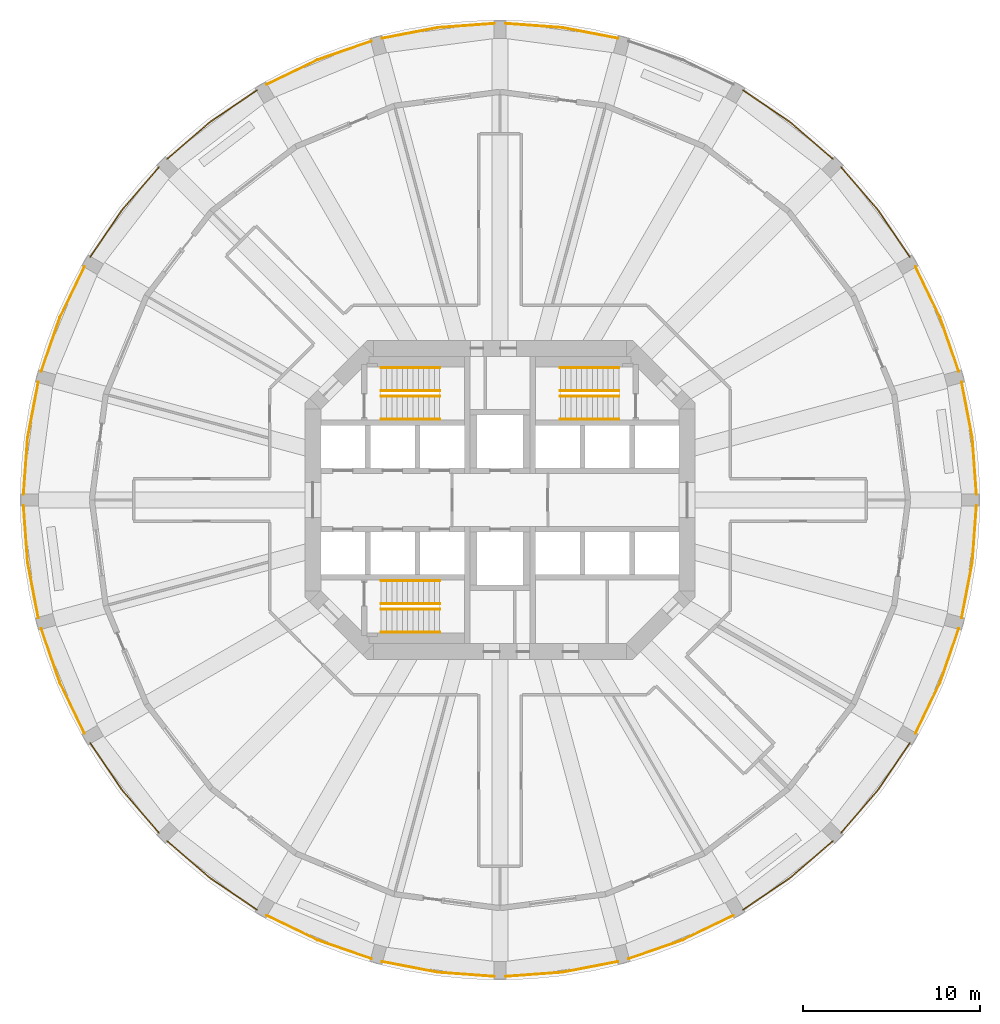
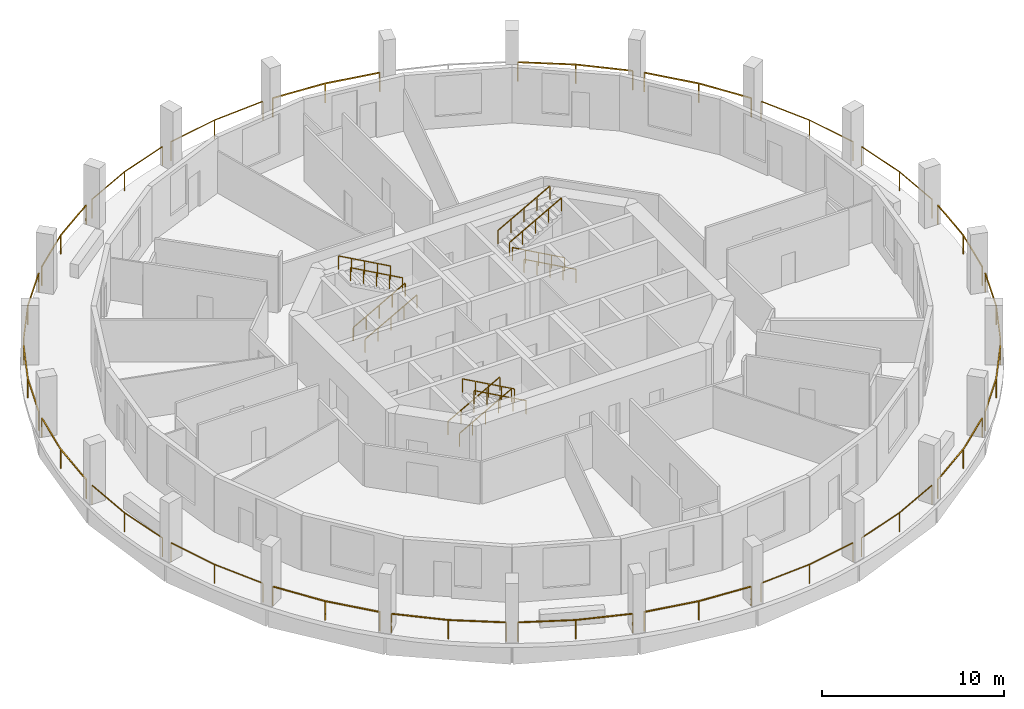
# One storey, part 8 of 9: 35 railings.
"""IFC4 building model written with IfcOpenShell, lengths in metres."""

from ifc_helpers import new_model, si_unit, direction, frame, origin, origin_2d, place, context, subcontext, project, spatial, rectangle, extrude, material, type_object, element, save


model = new_model("IFC4")

# Units and contexts
model_context = context("Model", 3, precision=1e-05, world=origin(), true_north=direction((0.0, 1.0)))
body_context = subcontext(model_context, "Body", "Model", "MODEL_VIEW")
ifc_project = project(units=[si_unit("LENGTHUNIT", "METRE"), si_unit("AREAUNIT", "SQUARE_METRE"), si_unit("VOLUMEUNIT", "CUBIC_METRE"), si_unit("PLANEANGLEUNIT", "RADIAN"), si_unit("MASSUNIT", "GRAM", prefix="KILO")], contexts=[model_context])

# Site, building, storey
site_placement = place(None, origin())
site = spatial("IfcSite", under=ifc_project, at=site_placement, CompositionType="ELEMENT")
building_placement = place(site_placement, origin())
building = spatial("IfcBuilding", under=site, at=building_placement, Name="Torre Triforio", CompositionType="ELEMENT")
storey_placement = place(building_placement, frame((0.0, 0.0, 27.0)))
storey = spatial("IfcBuildingStorey", under=building, at=storey_placement, Name="L04", CompositionType="ELEMENT", Elevation=27.0)

# Railings
ifc_material = material(Name="Stainless steel AISI 316", Category="steel")
railing_type_1 = type_object("IfcRailingType", Name="HANDRAIL 920", PredefinedType="HANDRAIL", material=ifc_material)
for number, where, name in (
    (1, (-6.699951171875, 4.550048828125, 0.166748046875), "Handrail ST1"),
    (2, (-6.699951171875, 5.85009765625, 0.166748046875), "Handrail ST1"),
):
    element("IfcRailing", number, at=place(storey_placement, frame(where)), inside=storey, type_object=railing_type_1, Name=name, PredefinedType="HANDRAIL", context=body_context, shape_type="SweptSolid", body=[
        extrude(rectangle(XDim=0.048095703125, YDim=0.048095703125, at=origin_2d()), frame((0.0, 0.0, 0.89599609375), z_axis=(0.874169478083, 0.0, 0.485620966999), x_axis=(0.0, 1.0, 0.0)), (0.0, 0.0, 1.0), 3.775146484375),
        extrude(rectangle(XDim=0.0419921875, YDim=0.0419921875, at=origin_2d()), origin(), (0.0, 0.0, 1.0), 0.871826171875),
        extrude(rectangle(XDim=0.0419921875, YDim=0.0419921875, at=origin_2d()), frame((0.824951171875, 0.0, 0.458251953125)), (0.0, 0.0, 1.0), 0.871826171875),
        extrude(rectangle(XDim=0.0419921875, YDim=0.0419921875, at=origin_2d()), frame((1.64990234375, 0.0, 0.91650390625)), (0.0, 0.0, 1.0), 0.871826171875),
        extrude(rectangle(XDim=0.0419921875, YDim=0.0419921875, at=origin_2d()), frame((2.47509765625, 0.0, 1.375)), (0.0, 0.0, 1.0), 0.871826171875),
        extrude(rectangle(XDim=0.0419921875, YDim=0.0419921875, at=origin_2d()), frame((3.300048828125, 0.0, 1.833251953125)), (0.0, 0.0, 1.0), 0.871826171875),
    ])
for number, where, name in (
    (3, (-3.39990234375, 7.449951171875, 2.166748046875), "Handrail ST1"),
    (4, (-3.39990234375, 6.14990234375, 2.166748046875), "Handrail ST1"),
    (5, (6.699951171875, 4.550048828125, 0.166748046875), "Handrail ST2"),
    (6, (6.699951171875, 5.85009765625, 0.166748046875), "Handrail ST2"),
):
    element("IfcRailing", number, at=place(storey_placement, frame(where)), inside=storey, type_object=railing_type_1, Name=name, PredefinedType="HANDRAIL", context=body_context, shape_type="SweptSolid", body=[
        extrude(rectangle(XDim=0.048095703125, YDim=0.048095703125, at=origin_2d()), frame((0.0, 0.0, 0.89599609375), z_axis=(-0.874169478083, 0.0, 0.485620966999), x_axis=(0.0, -1.0, 0.0)), (0.0, 0.0, 1.0), 3.775146484375),
        extrude(rectangle(XDim=0.0419921875, YDim=0.0419921875, at=origin_2d()), origin(), (0.0, 0.0, 1.0), 0.871826171875),
        extrude(rectangle(XDim=0.0419921875, YDim=0.0419921875, at=origin_2d()), frame((-0.824951171875, 0.0, 0.458251953125)), (0.0, 0.0, 1.0), 0.871826171875),
        extrude(rectangle(XDim=0.0419921875, YDim=0.0419921875, at=origin_2d()), frame((-1.64990234375, 0.0, 0.91650390625)), (0.0, 0.0, 1.0), 0.871826171875),
        extrude(rectangle(XDim=0.0419921875, YDim=0.0419921875, at=origin_2d()), frame((-2.47509765625, 0.0, 1.375)), (0.0, 0.0, 1.0), 0.871826171875),
        extrude(rectangle(XDim=0.0419921875, YDim=0.0419921875, at=origin_2d()), frame((-3.300048828125, 0.0, 1.833251953125)), (0.0, 0.0, 1.0), 0.871826171875),
    ])
for number, where, name in (
    (7, (3.39990234375, 7.449951171875, 2.166748046875), "Handrail ST2"),
    (8, (3.39990234375, 6.14990234375, 2.166748046875), "Handrail ST2"),
    (9, (-6.699951171875, -4.550048828125, 0.166748046875), "Handrail ST3"),
    (10, (-6.699951171875, -5.85009765625, 0.166748046875), "Handrail ST3"),
):
    element("IfcRailing", number, at=place(storey_placement, frame(where)), inside=storey, type_object=railing_type_1, Name=name, PredefinedType="HANDRAIL", context=body_context, shape_type="SweptSolid", body=[
        extrude(rectangle(XDim=0.048095703125, YDim=0.048095703125, at=origin_2d()), frame((0.0, 0.0, 0.89599609375), z_axis=(0.874169478083, 0.0, 0.485620966999), x_axis=(0.0, 1.0, 0.0)), (0.0, 0.0, 1.0), 3.775146484375),
        extrude(rectangle(XDim=0.0419921875, YDim=0.0419921875, at=origin_2d()), origin(), (0.0, 0.0, 1.0), 0.871826171875),
        extrude(rectangle(XDim=0.0419921875, YDim=0.0419921875, at=origin_2d()), frame((0.824951171875, 0.0, 0.458251953125)), (0.0, 0.0, 1.0), 0.871826171875),
        extrude(rectangle(XDim=0.0419921875, YDim=0.0419921875, at=origin_2d()), frame((1.64990234375, 0.0, 0.91650390625)), (0.0, 0.0, 1.0), 0.871826171875),
        extrude(rectangle(XDim=0.0419921875, YDim=0.0419921875, at=origin_2d()), frame((2.47509765625, 0.0, 1.375)), (0.0, 0.0, 1.0), 0.871826171875),
        extrude(rectangle(XDim=0.0419921875, YDim=0.0419921875, at=origin_2d()), frame((3.300048828125, 0.0, 1.833251953125)), (0.0, 0.0, 1.0), 0.871826171875),
    ])
for number, where, name in (
    (11, (-3.39990234375, -7.449951171875, 2.166748046875), "Handrail ST3"),
    (12, (-3.39990234375, -6.14990234375, 2.166748046875), "Handrail ST3"),
):
    element("IfcRailing", number, at=place(storey_placement, frame(where)), inside=storey, type_object=railing_type_1, Name=name, PredefinedType="HANDRAIL", context=body_context, shape_type="SweptSolid", body=[
        extrude(rectangle(XDim=0.048095703125, YDim=0.048095703125, at=origin_2d()), frame((0.0, 0.0, 0.89599609375), z_axis=(-0.874169478083, 0.0, 0.485620966999), x_axis=(0.0, -1.0, 0.0)), (0.0, 0.0, 1.0), 3.775146484375),
        extrude(rectangle(XDim=0.0419921875, YDim=0.0419921875, at=origin_2d()), origin(), (0.0, 0.0, 1.0), 0.871826171875),
        extrude(rectangle(XDim=0.0419921875, YDim=0.0419921875, at=origin_2d()), frame((-0.824951171875, 0.0, 0.458251953125)), (0.0, 0.0, 1.0), 0.871826171875),
        extrude(rectangle(XDim=0.0419921875, YDim=0.0419921875, at=origin_2d()), frame((-1.64990234375, 0.0, 0.91650390625)), (0.0, 0.0, 1.0), 0.871826171875),
        extrude(rectangle(XDim=0.0419921875, YDim=0.0419921875, at=origin_2d()), frame((-2.47509765625, 0.0, 1.375)), (0.0, 0.0, 1.0), 0.871826171875),
        extrude(rectangle(XDim=0.0419921875, YDim=0.0419921875, at=origin_2d()), frame((-3.300048828125, 0.0, 1.833251953125)), (0.0, 0.0, 1.0), 0.871826171875),
    ])
railing_type_2 = type_object("IfcRailingType", Name="Loggia guard 1300", PredefinedType="GUARDRAIL", material=ifc_material)
railing_1_placement = place(storey_placement, frame((26.85009765625, 0.320068359375, 0.0)))
element("IfcRailing", 13, at=railing_1_placement, inside=storey, type_object=railing_type_2, Name="Loggia guard L04 bay 01", PredefinedType="GUARDRAIL", context=body_context, shape_type="SweptSolid", body=[
    extrude(rectangle(XDim=0.050048828125, YDim=0.050048828125, at=origin_2d()), frame((0.0, 0.0, 1.27490234375), z_axis=(-0.071953458998, 0.997407990613, 0.0), x_axis=(-0.997407990613, -0.071953458998, 0.0)), (0.0, 0.0, 1.0), 3.19287109375),
    extrude(rectangle(XDim=0.050048828125, YDim=0.050048828125, at=origin_2d()), frame((-0.229736328125, 3.1845703125, 1.27490234375), z_axis=(-0.188714097365, 0.982032071501, 0.0), x_axis=(-0.982032071501, -0.188714097365, 0.0)), (0.0, 0.0, 1.0), 3.19287109375),
    extrude(rectangle(XDim=0.0400390625, YDim=0.0400390625, at=origin_2d()), origin(), (0.0, 0.0, 1.0), 1.25),
    extrude(rectangle(XDim=0.0400390625, YDim=0.0400390625, at=origin_2d()), frame((-0.229736328125, 3.1845703125, 0.0)), (0.0, 0.0, 1.0), 1.25),
    extrude(rectangle(XDim=0.0400390625, YDim=0.0400390625, at=origin_2d()), frame((-0.832275390625, 6.320068359375, 0.0)), (0.0, 0.0, 1.0), 1.25),
])
railing_2_placement = place(storey_placement, frame((25.852294921875, 7.25830078125, 0.0)))
element("IfcRailing", 14, at=railing_2_placement, inside=storey, type_object=railing_type_2, Name="Loggia guard L04 bay 02", PredefinedType="GUARDRAIL", context=body_context, shape_type="SweptSolid", body=[
    extrude(rectangle(XDim=0.050048828125, YDim=0.050048828125, at=origin_2d()), frame((0.0, 0.0, 1.27490234375), z_axis=(-0.327627852034, 0.94480685358, 0.0), x_axis=(-0.94480685358, -0.327627852034, 0.0)), (0.0, 0.0, 1.0), 3.193115234375),
    extrude(rectangle(XDim=0.050048828125, YDim=0.050048828125, at=origin_2d()), frame((-1.046142578125, 3.016845703125, 1.27490234375), z_axis=(-0.436384192305, 0.899760432952, 0.0), x_axis=(-0.899760432952, -0.436384192305, 0.0)), (0.0, 0.0, 1.0), 3.19287109375),
    extrude(rectangle(XDim=0.0400390625, YDim=0.0400390625, at=origin_2d()), origin(), (0.0, 0.0, 1.0), 1.25),
    extrude(rectangle(XDim=0.0400390625, YDim=0.0400390625, at=origin_2d()), frame((-1.046142578125, 3.016845703125, 0.0)), (0.0, 0.0, 1.0), 1.25),
    extrude(rectangle(XDim=0.0400390625, YDim=0.0400390625, at=origin_2d()), frame((-2.439453125, 5.8896484375, 0.0)), (0.0, 0.0, 1.0), 1.25),
])
railing_3_placement = place(storey_placement, frame((23.0927734375, 13.7021484375, 0.0)))
element("IfcRailing", 15, at=railing_3_placement, inside=storey, type_object=railing_type_2, Name="Loggia guard L04 bay 03", PredefinedType="GUARDRAIL", context=body_context, shape_type="SweptSolid", body=[
    extrude(rectangle(XDim=0.050048828125, YDim=0.050048828125, at=origin_2d()), frame((0.0, 0.0, 1.27490234375), z_axis=(-0.561018896338, 0.82780299465, 0.0), x_axis=(-0.82780299465, -0.561018896338, 0.0)), (0.0, 0.0, 1.0), 3.19287109375),
    extrude(rectangle(XDim=0.050048828125, YDim=0.050048828125, at=origin_2d()), frame((-1.791259765625, 2.64306640625, 1.27490234375), z_axis=(-0.654385993255, 0.756160678581, 0.0), x_axis=(-0.756160678581, -0.654385993255, 0.0)), (0.0, 0.0, 1.0), 3.19287109375),
    extrude(rectangle(XDim=0.0400390625, YDim=0.0400390625, at=origin_2d()), origin(), (0.0, 0.0, 1.0), 1.25),
    extrude(rectangle(XDim=0.0400390625, YDim=0.0400390625, at=origin_2d()), frame((-1.791259765625, 2.64306640625, 0.0)), (0.0, 0.0, 1.0), 1.25),
    extrude(rectangle(XDim=0.0400390625, YDim=0.0400390625, at=origin_2d()), frame((-3.880615234375, 5.057373046875, 0.0)), (0.0, 0.0, 1.0), 1.25),
])
railing_4_placement = place(storey_placement, frame((18.759521484375, 19.212158203125, 0.0)))
element("IfcRailing", 16, at=railing_4_placement, inside=storey, type_object=railing_type_2, Name="Loggia guard L04 bay 04", PredefinedType="GUARDRAIL", context=body_context, shape_type="SweptSolid", body=[
    extrude(rectangle(XDim=0.050048828125, YDim=0.050048828125, at=origin_2d()), frame((0.0, 0.0, 1.27490234375), z_axis=(-0.756160678581, 0.654385993255, 0.0), x_axis=(-0.654385993255, -0.756160678581, 0.0)), (0.0, 0.0, 1.0), 3.19287109375),
    extrude(rectangle(XDim=0.050048828125, YDim=0.050048828125, at=origin_2d()), frame((-2.414306640625, 2.08935546875, 1.27490234375), z_axis=(-0.82780299465, 0.561018896338, 0.0), x_axis=(-0.561018896338, -0.82780299465, 0.0)), (0.0, 0.0, 1.0), 3.19287109375),
    extrude(rectangle(XDim=0.0400390625, YDim=0.0400390625, at=origin_2d()), origin(), (0.0, 0.0, 1.0), 1.25),
    extrude(rectangle(XDim=0.0400390625, YDim=0.0400390625, at=origin_2d()), frame((-2.414306640625, 2.08935546875, 0.0)), (0.0, 0.0, 1.0), 1.25),
    extrude(rectangle(XDim=0.0400390625, YDim=0.0400390625, at=origin_2d()), frame((-5.057373046875, 3.880615234375, 0.0)), (0.0, 0.0, 1.0), 1.25),
])
railing_5_placement = place(storey_placement, frame((6.64013671875, 26.017822265625, 0.0)))
element("IfcRailing", 17, at=railing_5_placement, inside=storey, type_object=railing_type_2, Name="Loggia guard L04 bay 06", PredefinedType="GUARDRAIL", context=body_context, shape_type="SweptSolid", body=[
    extrude(rectangle(XDim=0.050048828125, YDim=0.050048828125, at=origin_2d()), frame((0.0, 0.0, 1.27490234375), z_axis=(-0.982032071501, 0.188714097365, 0.0), x_axis=(-0.188714097365, -0.982032071501, 0.0)), (0.0, 0.0, 1.0), 3.19287109375),
    extrude(rectangle(XDim=0.050048828125, YDim=0.050048828125, at=origin_2d()), frame((-3.135498046875, 0.6025390625, 1.27490234375), z_axis=(-0.997407990613, 0.071953458998, 0.0), x_axis=(-0.071953458998, -0.997407990613, 0.0)), (0.0, 0.0, 1.0), 3.19287109375),
    extrude(rectangle(XDim=0.0400390625, YDim=0.0400390625, at=origin_2d()), origin(), (0.0, 0.0, 1.0), 1.25),
    extrude(rectangle(XDim=0.0400390625, YDim=0.0400390625, at=origin_2d()), frame((-3.135498046875, 0.6025390625, 0.0)), (0.0, 0.0, 1.0), 1.25),
    extrude(rectangle(XDim=0.0400390625, YDim=0.0400390625, at=origin_2d()), frame((-6.320068359375, 0.832275390625, 0.0)), (0.0, 0.0, 1.0), 1.25),
])
railing_6_placement = place(storey_placement, frame((-0.320068359375, 26.85009765625, 0.0)))
element("IfcRailing", 18, at=railing_6_placement, inside=storey, type_object=railing_type_2, Name="Loggia guard L04 bay 07", PredefinedType="GUARDRAIL", context=body_context, shape_type="SweptSolid", body=[
    extrude(rectangle(XDim=0.050048828125, YDim=0.050048828125, at=origin_2d()), frame((0.0, 0.0, 1.27490234375), z_axis=(-0.997407990613, -0.071953458998, 0.0), x_axis=(0.071953458998, -0.997407990613, 0.0)), (0.0, 0.0, 1.0), 3.19287109375),
    extrude(rectangle(XDim=0.050048828125, YDim=0.050048828125, at=origin_2d()), frame((-3.1845703125, -0.229736328125, 1.27490234375), z_axis=(-0.982032071501, -0.188714097365, 0.0), x_axis=(0.188714097365, -0.982032071501, 0.0)), (0.0, 0.0, 1.0), 3.19287109375),
    extrude(rectangle(XDim=0.0400390625, YDim=0.0400390625, at=origin_2d()), origin(), (0.0, 0.0, 1.0), 1.25),
    extrude(rectangle(XDim=0.0400390625, YDim=0.0400390625, at=origin_2d()), frame((-3.1845703125, -0.229736328125, 0.0)), (0.0, 0.0, 1.0), 1.25),
    extrude(rectangle(XDim=0.0400390625, YDim=0.0400390625, at=origin_2d()), frame((-6.320068359375, -0.832275390625, 0.0)), (0.0, 0.0, 1.0), 1.25),
])
railing_7_placement = place(storey_placement, frame((-7.25830078125, 25.852294921875, 0.0)))
element("IfcRailing", 19, at=railing_7_placement, inside=storey, type_object=railing_type_2, Name="Loggia guard L04 bay 08", PredefinedType="GUARDRAIL", context=body_context, shape_type="SweptSolid", body=[
    extrude(rectangle(XDim=0.050048828125, YDim=0.050048828125, at=origin_2d()), frame((0.0, 0.0, 1.27490234375), z_axis=(-0.94480685358, -0.327627852034, 0.0), x_axis=(0.327627852034, -0.94480685358, 0.0)), (0.0, 0.0, 1.0), 3.193115234375),
    extrude(rectangle(XDim=0.050048828125, YDim=0.050048828125, at=origin_2d()), frame((-3.016845703125, -1.046142578125, 1.27490234375), z_axis=(-0.899760432952, -0.436384192305, 0.0), x_axis=(0.436384192305, -0.899760432952, 0.0)), (0.0, 0.0, 1.0), 3.19287109375),
    extrude(rectangle(XDim=0.0400390625, YDim=0.0400390625, at=origin_2d()), origin(), (0.0, 0.0, 1.0), 1.25),
    extrude(rectangle(XDim=0.0400390625, YDim=0.0400390625, at=origin_2d()), frame((-3.016845703125, -1.046142578125, 0.0)), (0.0, 0.0, 1.0), 1.25),
    extrude(rectangle(XDim=0.0400390625, YDim=0.0400390625, at=origin_2d()), frame((-5.8896484375, -2.439453125, 0.0)), (0.0, 0.0, 1.0), 1.25),
])
railing_8_placement = place(storey_placement, frame((-13.7021484375, 23.0927734375, 0.0)))
element("IfcRailing", 20, at=railing_8_placement, inside=storey, type_object=railing_type_2, Name="Loggia guard L04 bay 09", PredefinedType="GUARDRAIL", context=body_context, shape_type="SweptSolid", body=[
    extrude(rectangle(XDim=0.050048828125, YDim=0.050048828125, at=origin_2d()), frame((0.0, 0.0, 1.27490234375), z_axis=(-0.82780299465, -0.561018896338, 0.0), x_axis=(0.561018896338, -0.82780299465, 0.0)), (0.0, 0.0, 1.0), 3.19287109375),
    extrude(rectangle(XDim=0.050048828125, YDim=0.050048828125, at=origin_2d()), frame((-2.64306640625, -1.791259765625, 1.27490234375), z_axis=(-0.756160678581, -0.654385993255, 0.0), x_axis=(0.654385993255, -0.756160678581, 0.0)), (0.0, 0.0, 1.0), 3.19287109375),
    extrude(rectangle(XDim=0.0400390625, YDim=0.0400390625, at=origin_2d()), origin(), (0.0, 0.0, 1.0), 1.25),
    extrude(rectangle(XDim=0.0400390625, YDim=0.0400390625, at=origin_2d()), frame((-2.64306640625, -1.791259765625, 0.0)), (0.0, 0.0, 1.0), 1.25),
    extrude(rectangle(XDim=0.0400390625, YDim=0.0400390625, at=origin_2d()), frame((-5.057373046875, -3.880615234375, 0.0)), (0.0, 0.0, 1.0), 1.25),
])
railing_9_placement = place(storey_placement, frame((-19.212158203125, 18.759521484375, 0.0)))
element("IfcRailing", 21, at=railing_9_placement, inside=storey, type_object=railing_type_2, Name="Loggia guard L04 bay 10", PredefinedType="GUARDRAIL", context=body_context, shape_type="SweptSolid", body=[
    extrude(rectangle(XDim=0.050048828125, YDim=0.050048828125, at=origin_2d()), frame((0.0, 0.0, 1.27490234375), z_axis=(-0.654385993255, -0.756160678581, 0.0), x_axis=(0.756160678581, -0.654385993255, 0.0)), (0.0, 0.0, 1.0), 3.19287109375),
    extrude(rectangle(XDim=0.050048828125, YDim=0.050048828125, at=origin_2d()), frame((-2.08935546875, -2.414306640625, 1.27490234375), z_axis=(-0.561018896338, -0.82780299465, 0.0), x_axis=(0.82780299465, -0.561018896338, 0.0)), (0.0, 0.0, 1.0), 3.19287109375),
    extrude(rectangle(XDim=0.0400390625, YDim=0.0400390625, at=origin_2d()), origin(), (0.0, 0.0, 1.0), 1.25),
    extrude(rectangle(XDim=0.0400390625, YDim=0.0400390625, at=origin_2d()), frame((-2.08935546875, -2.414306640625, 0.0)), (0.0, 0.0, 1.0), 1.25),
    extrude(rectangle(XDim=0.0400390625, YDim=0.0400390625, at=origin_2d()), frame((-3.880615234375, -5.057373046875, 0.0)), (0.0, 0.0, 1.0), 1.25),
])
railing_10_placement = place(storey_placement, frame((-23.412841796875, 13.14794921875, 0.0)))
element("IfcRailing", 22, at=railing_10_placement, inside=storey, type_object=railing_type_2, Name="Loggia guard L04 bay 11", PredefinedType="GUARDRAIL", context=body_context, shape_type="SweptSolid", body=[
    extrude(rectangle(XDim=0.050048828125, YDim=0.050048828125, at=origin_2d()), frame((0.0, 0.0, 1.27490234375), z_axis=(-0.436384192305, -0.899760432952, 0.0), x_axis=(0.899760432952, -0.436384192305, 0.0)), (0.0, 0.0, 1.0), 3.19287109375),
    extrude(rectangle(XDim=0.050048828125, YDim=0.050048828125, at=origin_2d()), frame((-1.393310546875, -2.872802734375, 1.27490234375), z_axis=(-0.327627852034, -0.94480685358, 0.0), x_axis=(0.94480685358, -0.327627852034, 0.0)), (0.0, 0.0, 1.0), 3.193115234375),
    extrude(rectangle(XDim=0.0400390625, YDim=0.0400390625, at=origin_2d()), origin(), (0.0, 0.0, 1.0), 1.25),
    extrude(rectangle(XDim=0.0400390625, YDim=0.0400390625, at=origin_2d()), frame((-1.393310546875, -2.872802734375, 0.0)), (0.0, 0.0, 1.0), 1.25),
    extrude(rectangle(XDim=0.0400390625, YDim=0.0400390625, at=origin_2d()), frame((-2.439453125, -5.8896484375, 0.0)), (0.0, 0.0, 1.0), 1.25),
])
railing_11_placement = place(storey_placement, frame((-26.017822265625, 6.64013671875, 0.0)))
element("IfcRailing", 23, at=railing_11_placement, inside=storey, type_object=railing_type_2, Name="Loggia guard L04 bay 12", PredefinedType="GUARDRAIL", context=body_context, shape_type="SweptSolid", body=[
    extrude(rectangle(XDim=0.050048828125, YDim=0.050048828125, at=origin_2d()), frame((0.0, 0.0, 1.27490234375), z_axis=(-0.188714097365, -0.982032071501, 0.0), x_axis=(0.982032071501, -0.188714097365, 0.0)), (0.0, 0.0, 1.0), 3.19287109375),
    extrude(rectangle(XDim=0.050048828125, YDim=0.050048828125, at=origin_2d()), frame((-0.6025390625, -3.135498046875, 1.27490234375), z_axis=(-0.071953458998, -0.997407990613, 0.0), x_axis=(0.997407990613, -0.071953458998, 0.0)), (0.0, 0.0, 1.0), 3.19287109375),
    extrude(rectangle(XDim=0.0400390625, YDim=0.0400390625, at=origin_2d()), origin(), (0.0, 0.0, 1.0), 1.25),
    extrude(rectangle(XDim=0.0400390625, YDim=0.0400390625, at=origin_2d()), frame((-0.6025390625, -3.135498046875, 0.0)), (0.0, 0.0, 1.0), 1.25),
    extrude(rectangle(XDim=0.0400390625, YDim=0.0400390625, at=origin_2d()), frame((-0.832275390625, -6.320068359375, 0.0)), (0.0, 0.0, 1.0), 1.25),
])
railing_12_placement = place(storey_placement, frame((-26.85009765625, -0.320068359375, 0.0)))
element("IfcRailing", 24, at=railing_12_placement, inside=storey, type_object=railing_type_2, Name="Loggia guard L04 bay 13", PredefinedType="GUARDRAIL", context=body_context, shape_type="SweptSolid", body=[
    extrude(rectangle(XDim=0.050048828125, YDim=0.050048828125, at=origin_2d()), frame((0.0, 0.0, 1.27490234375), z_axis=(0.071953458998, -0.997407990613, 0.0), x_axis=(0.997407990613, 0.071953458998, 0.0)), (0.0, 0.0, 1.0), 3.19287109375),
    extrude(rectangle(XDim=0.050048828125, YDim=0.050048828125, at=origin_2d()), frame((0.229736328125, -3.1845703125, 1.27490234375), z_axis=(0.188714097365, -0.982032071501, 0.0), x_axis=(0.982032071501, 0.188714097365, 0.0)), (0.0, 0.0, 1.0), 3.19287109375),
    extrude(rectangle(XDim=0.0400390625, YDim=0.0400390625, at=origin_2d()), origin(), (0.0, 0.0, 1.0), 1.25),
    extrude(rectangle(XDim=0.0400390625, YDim=0.0400390625, at=origin_2d()), frame((0.229736328125, -3.1845703125, 0.0)), (0.0, 0.0, 1.0), 1.25),
    extrude(rectangle(XDim=0.0400390625, YDim=0.0400390625, at=origin_2d()), frame((0.832275390625, -6.320068359375, 0.0)), (0.0, 0.0, 1.0), 1.25),
])
railing_13_placement = place(storey_placement, frame((-25.852294921875, -7.25830078125, 0.0)))
element("IfcRailing", 25, at=railing_13_placement, inside=storey, type_object=railing_type_2, Name="Loggia guard L04 bay 14", PredefinedType="GUARDRAIL", context=body_context, shape_type="SweptSolid", body=[
    extrude(rectangle(XDim=0.050048828125, YDim=0.050048828125, at=origin_2d()), frame((0.0, 0.0, 1.27490234375), z_axis=(0.327627852034, -0.94480685358, 0.0), x_axis=(0.94480685358, 0.327627852034, 0.0)), (0.0, 0.0, 1.0), 3.193115234375),
    extrude(rectangle(XDim=0.050048828125, YDim=0.050048828125, at=origin_2d()), frame((1.046142578125, -3.016845703125, 1.27490234375), z_axis=(0.436384192305, -0.899760432952, 0.0), x_axis=(0.899760432952, 0.436384192305, 0.0)), (0.0, 0.0, 1.0), 3.19287109375),
    extrude(rectangle(XDim=0.0400390625, YDim=0.0400390625, at=origin_2d()), origin(), (0.0, 0.0, 1.0), 1.25),
    extrude(rectangle(XDim=0.0400390625, YDim=0.0400390625, at=origin_2d()), frame((1.046142578125, -3.016845703125, 0.0)), (0.0, 0.0, 1.0), 1.25),
    extrude(rectangle(XDim=0.0400390625, YDim=0.0400390625, at=origin_2d()), frame((2.439453125, -5.8896484375, 0.0)), (0.0, 0.0, 1.0), 1.25),
])
railing_14_placement = place(storey_placement, frame((-23.0927734375, -13.7021484375, 0.0)))
element("IfcRailing", 26, at=railing_14_placement, inside=storey, type_object=railing_type_2, Name="Loggia guard L04 bay 15", PredefinedType="GUARDRAIL", context=body_context, shape_type="SweptSolid", body=[
    extrude(rectangle(XDim=0.050048828125, YDim=0.050048828125, at=origin_2d()), frame((0.0, 0.0, 1.27490234375), z_axis=(0.561018896338, -0.82780299465, 0.0), x_axis=(0.82780299465, 0.561018896338, 0.0)), (0.0, 0.0, 1.0), 3.19287109375),
    extrude(rectangle(XDim=0.050048828125, YDim=0.050048828125, at=origin_2d()), frame((1.791259765625, -2.64306640625, 1.27490234375), z_axis=(0.654385993255, -0.756160678581, 0.0), x_axis=(0.756160678581, 0.654385993255, 0.0)), (0.0, 0.0, 1.0), 3.19287109375),
    extrude(rectangle(XDim=0.0400390625, YDim=0.0400390625, at=origin_2d()), origin(), (0.0, 0.0, 1.0), 1.25),
    extrude(rectangle(XDim=0.0400390625, YDim=0.0400390625, at=origin_2d()), frame((1.791259765625, -2.64306640625, 0.0)), (0.0, 0.0, 1.0), 1.25),
    extrude(rectangle(XDim=0.0400390625, YDim=0.0400390625, at=origin_2d()), frame((3.880615234375, -5.057373046875, 0.0)), (0.0, 0.0, 1.0), 1.25),
])
railing_15_placement = place(storey_placement, frame((-18.759521484375, -19.212158203125, 0.0)))
element("IfcRailing", 27, at=railing_15_placement, inside=storey, type_object=railing_type_2, Name="Loggia guard L04 bay 16", PredefinedType="GUARDRAIL", context=body_context, shape_type="SweptSolid", body=[
    extrude(rectangle(XDim=0.050048828125, YDim=0.050048828125, at=origin_2d()), frame((0.0, 0.0, 1.27490234375), z_axis=(0.756160678581, -0.654385993255, 0.0), x_axis=(0.654385993255, 0.756160678581, 0.0)), (0.0, 0.0, 1.0), 3.19287109375),
    extrude(rectangle(XDim=0.050048828125, YDim=0.050048828125, at=origin_2d()), frame((2.414306640625, -2.08935546875, 1.27490234375), z_axis=(0.82780299465, -0.561018896338, 0.0), x_axis=(0.561018896338, 0.82780299465, 0.0)), (0.0, 0.0, 1.0), 3.19287109375),
    extrude(rectangle(XDim=0.0400390625, YDim=0.0400390625, at=origin_2d()), origin(), (0.0, 0.0, 1.0), 1.25),
    extrude(rectangle(XDim=0.0400390625, YDim=0.0400390625, at=origin_2d()), frame((2.414306640625, -2.08935546875, 0.0)), (0.0, 0.0, 1.0), 1.25),
    extrude(rectangle(XDim=0.0400390625, YDim=0.0400390625, at=origin_2d()), frame((5.057373046875, -3.880615234375, 0.0)), (0.0, 0.0, 1.0), 1.25),
])
railing_16_placement = place(storey_placement, frame((-13.14794921875, -23.412841796875, 0.0)))
element("IfcRailing", 28, at=railing_16_placement, inside=storey, type_object=railing_type_2, Name="Loggia guard L04 bay 17", PredefinedType="GUARDRAIL", context=body_context, shape_type="SweptSolid", body=[
    extrude(rectangle(XDim=0.050048828125, YDim=0.050048828125, at=origin_2d()), frame((0.0, 0.0, 1.27490234375), z_axis=(0.899760432952, -0.436384192305, 0.0), x_axis=(0.436384192305, 0.899760432952, 0.0)), (0.0, 0.0, 1.0), 3.19287109375),
    extrude(rectangle(XDim=0.050048828125, YDim=0.050048828125, at=origin_2d()), frame((2.872802734375, -1.393310546875, 1.27490234375), z_axis=(0.94480685358, -0.327627852034, 0.0), x_axis=(0.327627852034, 0.94480685358, 0.0)), (0.0, 0.0, 1.0), 3.193115234375),
    extrude(rectangle(XDim=0.0400390625, YDim=0.0400390625, at=origin_2d()), origin(), (0.0, 0.0, 1.0), 1.25),
    extrude(rectangle(XDim=0.0400390625, YDim=0.0400390625, at=origin_2d()), frame((2.872802734375, -1.393310546875, 0.0)), (0.0, 0.0, 1.0), 1.25),
    extrude(rectangle(XDim=0.0400390625, YDim=0.0400390625, at=origin_2d()), frame((5.8896484375, -2.439453125, 0.0)), (0.0, 0.0, 1.0), 1.25),
])
railing_17_placement = place(storey_placement, frame((-6.64013671875, -26.017822265625, 0.0)))
element("IfcRailing", 29, at=railing_17_placement, inside=storey, type_object=railing_type_2, Name="Loggia guard L04 bay 18", PredefinedType="GUARDRAIL", context=body_context, shape_type="SweptSolid", body=[
    extrude(rectangle(XDim=0.050048828125, YDim=0.050048828125, at=origin_2d()), frame((0.0, 0.0, 1.27490234375), z_axis=(0.982032071501, -0.188714097365, 0.0), x_axis=(0.188714097365, 0.982032071501, 0.0)), (0.0, 0.0, 1.0), 3.19287109375),
    extrude(rectangle(XDim=0.050048828125, YDim=0.050048828125, at=origin_2d()), frame((3.135498046875, -0.6025390625, 1.27490234375), z_axis=(0.997407990613, -0.071953458998, 0.0), x_axis=(0.071953458998, 0.997407990613, 0.0)), (0.0, 0.0, 1.0), 3.19287109375),
    extrude(rectangle(XDim=0.0400390625, YDim=0.0400390625, at=origin_2d()), origin(), (0.0, 0.0, 1.0), 1.25),
    extrude(rectangle(XDim=0.0400390625, YDim=0.0400390625, at=origin_2d()), frame((3.135498046875, -0.6025390625, 0.0)), (0.0, 0.0, 1.0), 1.25),
    extrude(rectangle(XDim=0.0400390625, YDim=0.0400390625, at=origin_2d()), frame((6.320068359375, -0.832275390625, 0.0)), (0.0, 0.0, 1.0), 1.25),
])
railing_18_placement = place(storey_placement, frame((0.320068359375, -26.85009765625, 0.0)))
element("IfcRailing", 30, at=railing_18_placement, inside=storey, type_object=railing_type_2, Name="Loggia guard L04 bay 19", PredefinedType="GUARDRAIL", context=body_context, shape_type="SweptSolid", body=[
    extrude(rectangle(XDim=0.050048828125, YDim=0.050048828125, at=origin_2d()), frame((0.0, 0.0, 1.27490234375), z_axis=(0.997407990613, 0.071953458998, 0.0), x_axis=(-0.071953458998, 0.997407990613, 0.0)), (0.0, 0.0, 1.0), 3.19287109375),
    extrude(rectangle(XDim=0.050048828125, YDim=0.050048828125, at=origin_2d()), frame((3.1845703125, 0.229736328125, 1.27490234375), z_axis=(0.982032071501, 0.188714097365, 0.0), x_axis=(-0.188714097365, 0.982032071501, 0.0)), (0.0, 0.0, 1.0), 3.19287109375),
    extrude(rectangle(XDim=0.0400390625, YDim=0.0400390625, at=origin_2d()), origin(), (0.0, 0.0, 1.0), 1.25),
    extrude(rectangle(XDim=0.0400390625, YDim=0.0400390625, at=origin_2d()), frame((3.1845703125, 0.229736328125, 0.0)), (0.0, 0.0, 1.0), 1.25),
    extrude(rectangle(XDim=0.0400390625, YDim=0.0400390625, at=origin_2d()), frame((6.320068359375, 0.832275390625, 0.0)), (0.0, 0.0, 1.0), 1.25),
])
railing_19_placement = place(storey_placement, frame((7.25830078125, -25.852294921875, 0.0)))
element("IfcRailing", 31, at=railing_19_placement, inside=storey, type_object=railing_type_2, Name="Loggia guard L04 bay 20", PredefinedType="GUARDRAIL", context=body_context, shape_type="SweptSolid", body=[
    extrude(rectangle(XDim=0.050048828125, YDim=0.050048828125, at=origin_2d()), frame((0.0, 0.0, 1.27490234375), z_axis=(0.94480685358, 0.327627852034, 0.0), x_axis=(-0.327627852034, 0.94480685358, 0.0)), (0.0, 0.0, 1.0), 3.193115234375),
    extrude(rectangle(XDim=0.050048828125, YDim=0.050048828125, at=origin_2d()), frame((3.016845703125, 1.046142578125, 1.27490234375), z_axis=(0.899760432952, 0.436384192305, 0.0), x_axis=(-0.436384192305, 0.899760432952, 0.0)), (0.0, 0.0, 1.0), 3.19287109375),
    extrude(rectangle(XDim=0.0400390625, YDim=0.0400390625, at=origin_2d()), origin(), (0.0, 0.0, 1.0), 1.25),
    extrude(rectangle(XDim=0.0400390625, YDim=0.0400390625, at=origin_2d()), frame((3.016845703125, 1.046142578125, 0.0)), (0.0, 0.0, 1.0), 1.25),
    extrude(rectangle(XDim=0.0400390625, YDim=0.0400390625, at=origin_2d()), frame((5.8896484375, 2.439453125, 0.0)), (0.0, 0.0, 1.0), 1.25),
])
railing_20_placement = place(storey_placement, frame((13.7021484375, -23.0927734375, 0.0)))
element("IfcRailing", 32, at=railing_20_placement, inside=storey, type_object=railing_type_2, Name="Loggia guard L04 bay 21", PredefinedType="GUARDRAIL", context=body_context, shape_type="SweptSolid", body=[
    extrude(rectangle(XDim=0.050048828125, YDim=0.050048828125, at=origin_2d()), frame((0.0, 0.0, 1.27490234375), z_axis=(0.82780299465, 0.561018896338, 0.0), x_axis=(-0.561018896338, 0.82780299465, 0.0)), (0.0, 0.0, 1.0), 3.19287109375),
    extrude(rectangle(XDim=0.050048828125, YDim=0.050048828125, at=origin_2d()), frame((2.64306640625, 1.791259765625, 1.27490234375), z_axis=(0.756160678581, 0.654385993255, 0.0), x_axis=(-0.654385993255, 0.756160678581, 0.0)), (0.0, 0.0, 1.0), 3.19287109375),
    extrude(rectangle(XDim=0.0400390625, YDim=0.0400390625, at=origin_2d()), origin(), (0.0, 0.0, 1.0), 1.25),
    extrude(rectangle(XDim=0.0400390625, YDim=0.0400390625, at=origin_2d()), frame((2.64306640625, 1.791259765625, 0.0)), (0.0, 0.0, 1.0), 1.25),
    extrude(rectangle(XDim=0.0400390625, YDim=0.0400390625, at=origin_2d()), frame((5.057373046875, 3.880615234375, 0.0)), (0.0, 0.0, 1.0), 1.25),
])
railing_21_placement = place(storey_placement, frame((19.212158203125, -18.759521484375, 0.0)))
element("IfcRailing", 33, at=railing_21_placement, inside=storey, type_object=railing_type_2, Name="Loggia guard L04 bay 22", PredefinedType="GUARDRAIL", context=body_context, shape_type="SweptSolid", body=[
    extrude(rectangle(XDim=0.050048828125, YDim=0.050048828125, at=origin_2d()), frame((0.0, 0.0, 1.27490234375), z_axis=(0.654385993255, 0.756160678581, 0.0), x_axis=(-0.756160678581, 0.654385993255, 0.0)), (0.0, 0.0, 1.0), 3.19287109375),
    extrude(rectangle(XDim=0.050048828125, YDim=0.050048828125, at=origin_2d()), frame((2.08935546875, 2.414306640625, 1.27490234375), z_axis=(0.561018896338, 0.82780299465, 0.0), x_axis=(-0.82780299465, 0.561018896338, 0.0)), (0.0, 0.0, 1.0), 3.19287109375),
    extrude(rectangle(XDim=0.0400390625, YDim=0.0400390625, at=origin_2d()), origin(), (0.0, 0.0, 1.0), 1.25),
    extrude(rectangle(XDim=0.0400390625, YDim=0.0400390625, at=origin_2d()), frame((2.08935546875, 2.414306640625, 0.0)), (0.0, 0.0, 1.0), 1.25),
    extrude(rectangle(XDim=0.0400390625, YDim=0.0400390625, at=origin_2d()), frame((3.880615234375, 5.057373046875, 0.0)), (0.0, 0.0, 1.0), 1.25),
])
railing_22_placement = place(storey_placement, frame((23.412841796875, -13.14794921875, 0.0)))
element("IfcRailing", 34, at=railing_22_placement, inside=storey, type_object=railing_type_2, Name="Loggia guard L04 bay 23", PredefinedType="GUARDRAIL", context=body_context, shape_type="SweptSolid", body=[
    extrude(rectangle(XDim=0.050048828125, YDim=0.050048828125, at=origin_2d()), frame((0.0, 0.0, 1.27490234375), z_axis=(0.436384192305, 0.899760432952, 0.0), x_axis=(-0.899760432952, 0.436384192305, 0.0)), (0.0, 0.0, 1.0), 3.19287109375),
    extrude(rectangle(XDim=0.050048828125, YDim=0.050048828125, at=origin_2d()), frame((1.393310546875, 2.872802734375, 1.27490234375), z_axis=(0.327627852034, 0.94480685358, 0.0), x_axis=(-0.94480685358, 0.327627852034, 0.0)), (0.0, 0.0, 1.0), 3.193115234375),
    extrude(rectangle(XDim=0.0400390625, YDim=0.0400390625, at=origin_2d()), origin(), (0.0, 0.0, 1.0), 1.25),
    extrude(rectangle(XDim=0.0400390625, YDim=0.0400390625, at=origin_2d()), frame((1.393310546875, 2.872802734375, 0.0)), (0.0, 0.0, 1.0), 1.25),
    extrude(rectangle(XDim=0.0400390625, YDim=0.0400390625, at=origin_2d()), frame((2.439453125, 5.8896484375, 0.0)), (0.0, 0.0, 1.0), 1.25),
])
railing_23_placement = place(storey_placement, frame((26.017822265625, -6.64013671875, 0.0)))
element("IfcRailing", 35, at=railing_23_placement, inside=storey, type_object=railing_type_2, Name="Loggia guard L04 bay 24", PredefinedType="GUARDRAIL", context=body_context, shape_type="SweptSolid", body=[
    extrude(rectangle(XDim=0.050048828125, YDim=0.050048828125, at=origin_2d()), frame((0.0, 0.0, 1.27490234375), z_axis=(0.188714097365, 0.982032071501, 0.0), x_axis=(-0.982032071501, 0.188714097365, 0.0)), (0.0, 0.0, 1.0), 3.19287109375),
    extrude(rectangle(XDim=0.050048828125, YDim=0.050048828125, at=origin_2d()), frame((0.6025390625, 3.135498046875, 1.27490234375), z_axis=(0.071953458998, 0.997407990613, 0.0), x_axis=(-0.997407990613, 0.071953458998, 0.0)), (0.0, 0.0, 1.0), 3.19287109375),
    extrude(rectangle(XDim=0.0400390625, YDim=0.0400390625, at=origin_2d()), origin(), (0.0, 0.0, 1.0), 1.25),
    extrude(rectangle(XDim=0.0400390625, YDim=0.0400390625, at=origin_2d()), frame((0.6025390625, 3.135498046875, 0.0)), (0.0, 0.0, 1.0), 1.25),
    extrude(rectangle(XDim=0.0400390625, YDim=0.0400390625, at=origin_2d()), frame((0.832275390625, 6.320068359375, 0.0)), (0.0, 0.0, 1.0), 1.25),
])

save(model, "model.ifc")
